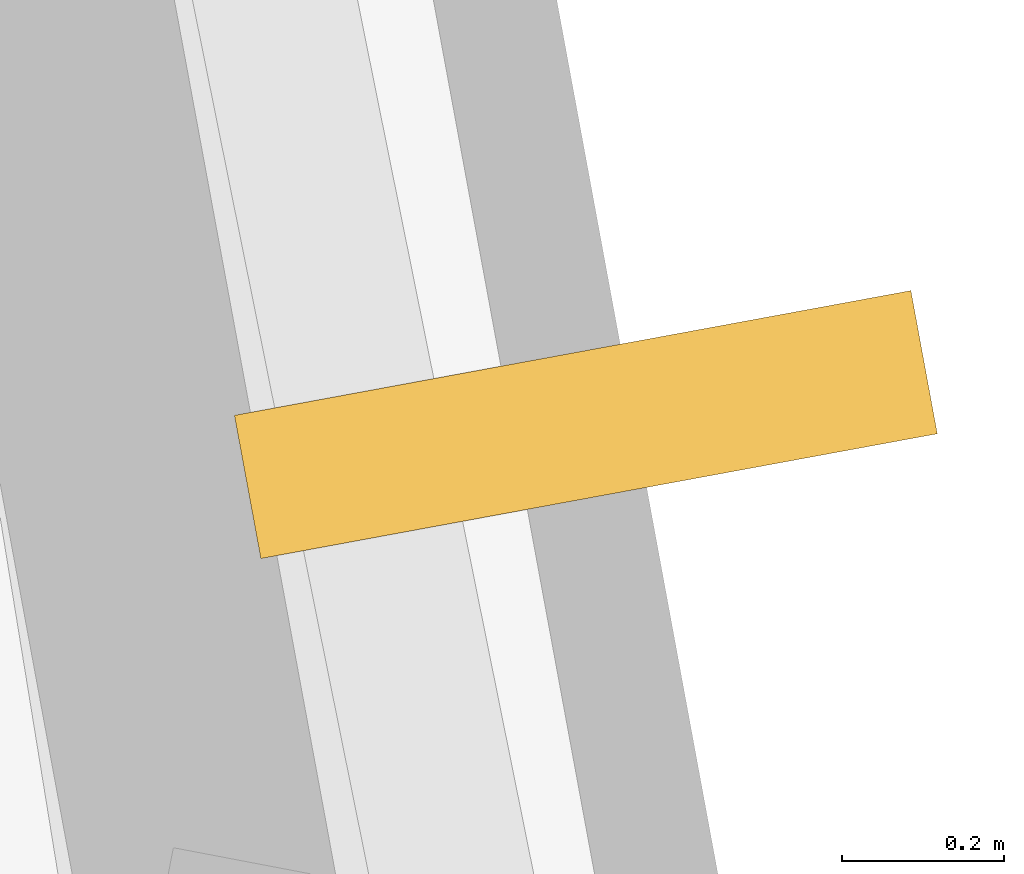
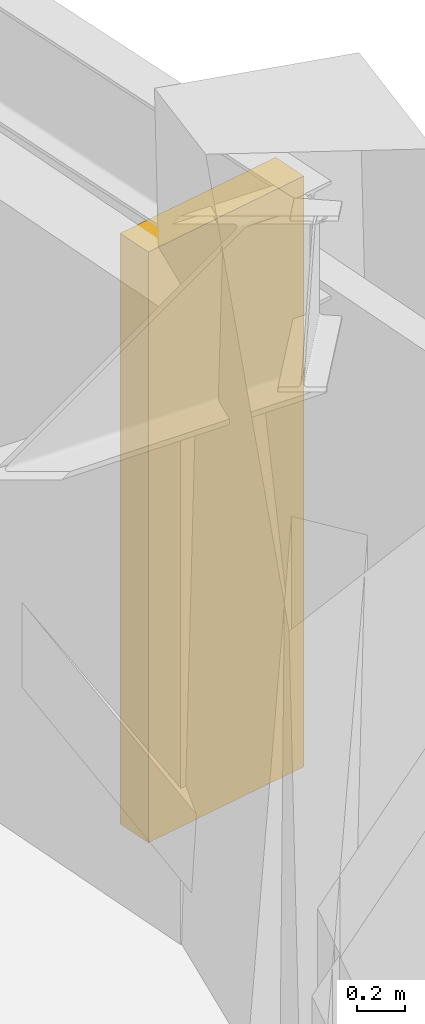
# One storey, part 16 of 16: 1 shading device.
"""IFC4 building model written with IfcOpenShell, lengths in metres."""

from ifc_helpers import new_model, si_unit, direction, frame, origin, origin_2d, place, context, subcontext, project, spatial, rectangle, extrude, material, type_object, element, save


model = new_model("IFC4")

# Units and contexts
model_context = context("Model", 3, precision=1e-05, world=origin(), true_north=direction((0.0, 1.0)))
body_context = subcontext(model_context, "Body", "Model", "MODEL_VIEW")
ifc_project = project(units=[si_unit("LENGTHUNIT", "METRE"), si_unit("AREAUNIT", "SQUARE_METRE"), si_unit("VOLUMEUNIT", "CUBIC_METRE"), si_unit("PLANEANGLEUNIT", "RADIAN"), si_unit("MASSUNIT", "GRAM", prefix="KILO")], contexts=[model_context])

# Site, building, storey
site_placement = place(None, origin())
site = spatial("IfcSite", under=ifc_project, at=site_placement, CompositionType="ELEMENT")
building_placement = place(site_placement, origin())
building = spatial("IfcBuilding", under=site, at=building_placement, Name="Gaonmaruhae Medical Tower", CompositionType="ELEMENT")
storey_placement = place(building_placement, frame((0.0, 0.0, 67.0)))
storey = spatial("IfcBuildingStorey", under=building, at=storey_placement, Name="L15", CompositionType="ELEMENT", Elevation=67.0)

# Shading device
ifc_material = material(Name="Pigmented coral precast concrete C45/55", Category="concrete")
shading_device_type = type_object("IfcShadingDeviceType", Name="SD-FIN1 Tower Vertical Coral Precast Shading Fin", PredefinedType="USERDEFINED", material=ifc_material)
shading_device_placement = place(storey_placement, frame((66.659912109375, 13.2412109375, 0.08251953125), z_axis=(0.0, 0.0, 1.0), x_axis=(0.181377404435, -0.983413563645, 0.0)))
element("IfcShadingDevice", 1, at=shading_device_placement, inside=storey, type_object=shading_device_type, Name="L15 Vertical Coral Precast Shading Fin E01B", ObjectType="FIN", PredefinedType="USERDEFINED", context=body_context, shape_type="SweptSolid", body=[
    extrude(rectangle(XDim=0.179931640625, YDim=0.85009765625, at=origin_2d()), origin(), (0.0, 0.0, 1.0), 3.0),
])

save(model, "model.ifc")
